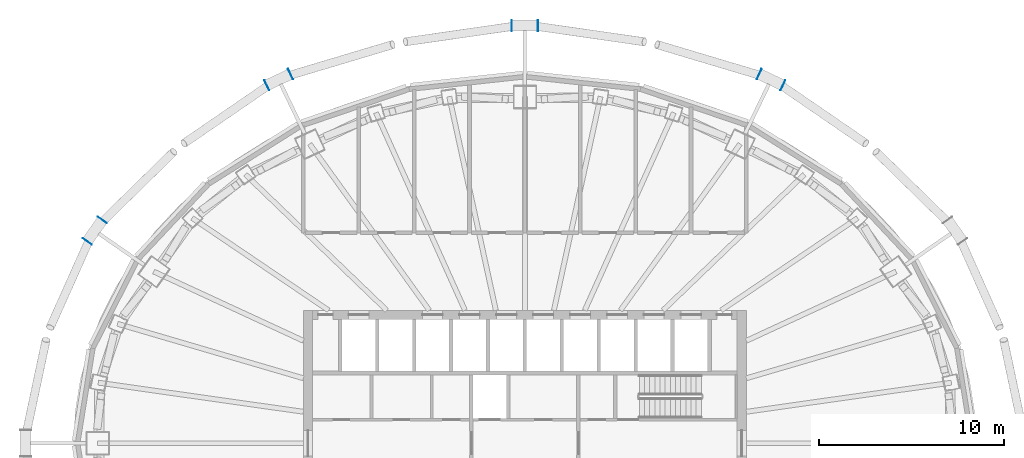
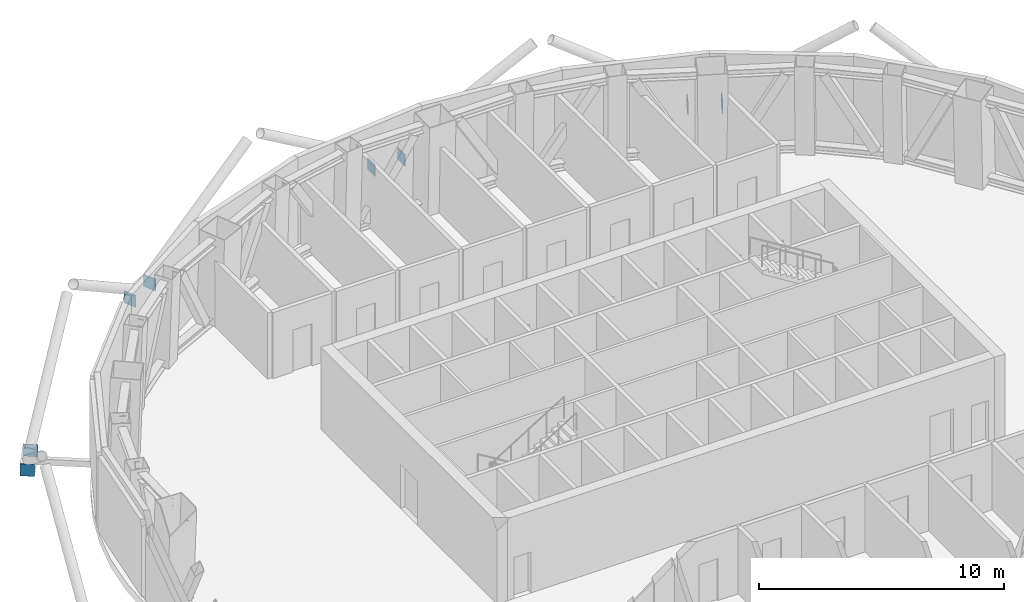
# One storey, part 11 of 16: 8 discrete accessories.
"""IFC4 building model written with IfcOpenShell, lengths in metres."""

from ifc_helpers import new_model, si_unit, direction, frame, origin, origin_2d, place, context, subcontext, project, spatial, rectangle, extrude, material, layer, layer_set, type_object, element, save


model = new_model("IFC4")

# Units and contexts
model_context = context("Model", 3, precision=1e-05, world=origin(), true_north=direction((0.0, 1.0)))
body_context = subcontext(model_context, "Body", "Model", "MODEL_VIEW")
ifc_project = project(units=[si_unit("LENGTHUNIT", "METRE"), si_unit("AREAUNIT", "SQUARE_METRE"), si_unit("VOLUMEUNIT", "CUBIC_METRE"), si_unit("PLANEANGLEUNIT", "RADIAN"), si_unit("MASSUNIT", "GRAM", prefix="KILO")], contexts=[model_context])

# Site, building, storey
site_placement = place(None, origin())
site = spatial("IfcSite", under=ifc_project, at=site_placement, CompositionType="ELEMENT")
building_placement = place(site_placement, origin())
building = spatial("IfcBuilding", under=site, at=building_placement, Name="Siaravel Broadcast Tower", CompositionType="ELEMENT")
storey_placement = place(building_placement, frame((0.0, 0.0, 152.60009765625)))
storey = spatial("IfcBuildingStorey", under=building, at=storey_placement, Name="L36", CompositionType="ELEMENT", Elevation=152.60009765625)

# Discrete accessories
ifc_material = material(Name="Steel S355", Category="steel")
ifc_layer = layer(ifc_material, 0.02001953125)
ifc_layer_set = layer_set([ifc_layer], Name="Steel S355")
discrete_accessory_type = type_object("IfcDiscreteAccessoryType", Name="Steel end plate 20 mm", PredefinedType="USERDEFINED", material=ifc_layer_set)
for number, where, z_axis, x_axis, name in (
    (1, (12.6962890625, 20.0, -0.500244140625), (0.0, 0.0, 1.0), (-0.904006456, 0.427518805, 0.0), "End plate R15 station 12A"),
    (2, (13.9794921875, 19.39306640625, -0.500244140625), (0.0, 0.0, 1.0), (-0.904006456, 0.427518805, 0.0), "End plate R15 station 12B"),
    (3, (-0.7099609375, 22.629638671875, -0.500244140625), (0.0, 0.0, 1.0), (-1.0, 0.0, 0.0), "End plate R15 station 18A"),
    (4, (0.7099609375, 22.629638671875, -0.500244140625), (0.0, 0.0, 1.0), (-1.0, 0.0, 0.0), "End plate R15 station 18B"),
    (5, (-13.9794921875, 19.39306640625, -0.500244140625), (0.0, 0.0, 1.0), (-0.904006456, -0.427518805, 0.0), "End plate R15 station 24A"),
    (6, (-12.6962890625, 20.0, -0.500244140625), (0.0, 0.0, 1.0), (-0.904006456, -0.427518805, 0.0), "End plate R15 station 24B"),
    (7, (-23.7109375, 10.9326171875, -0.500244140625), (0.0, 0.0, 1.0), (-0.576118513, -0.817366172, 0.0), "End plate R15 station 30A"),
    (8, (-22.892822265625, 12.093017578125, -0.500244140625), (0.0, 0.0, 1.0), (-0.576118513, -0.817366172, 0.0), "End plate R15 station 30B"),
):
    element("IfcDiscreteAccessory", number, at=place(storey_placement, frame(where, z_axis=z_axis, x_axis=x_axis)), inside=storey, type_object=discrete_accessory_type, Name=name, ObjectType="END PLATE", PredefinedType="USERDEFINED", context=body_context, shape_type="SweptSolid", body=[
        extrude(rectangle(XDim=0.02001953125, YDim=0.60009765625, at=origin_2d()), origin(), (0.0, 0.0, 1.0), 0.60009765625),
    ])

save(model, "model.ifc")
